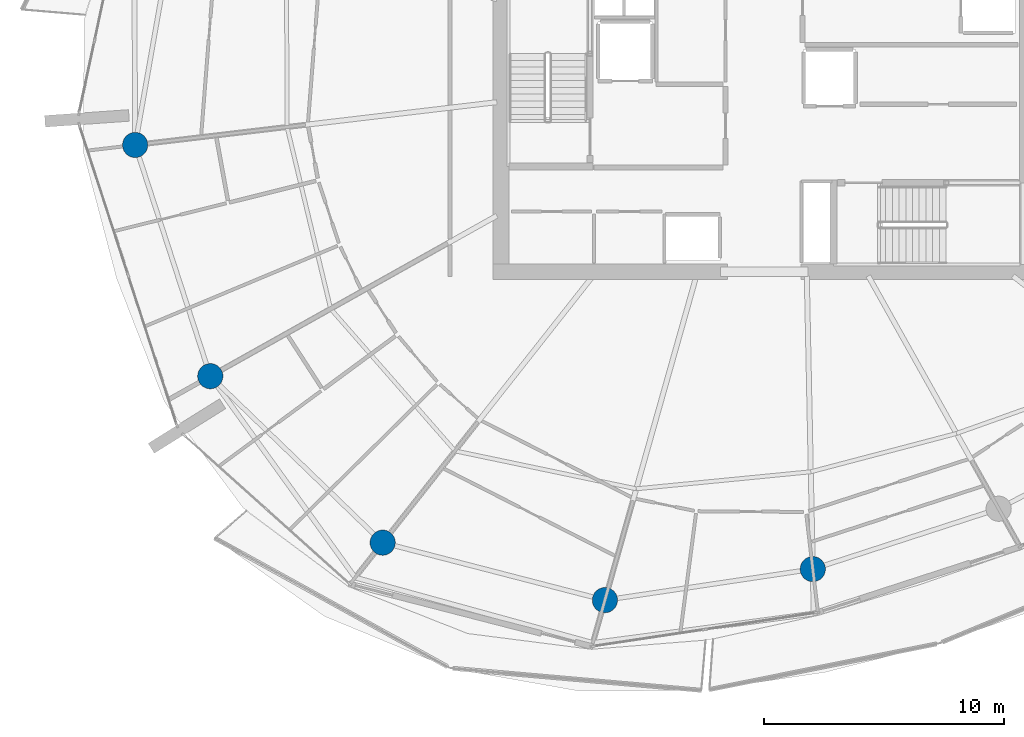
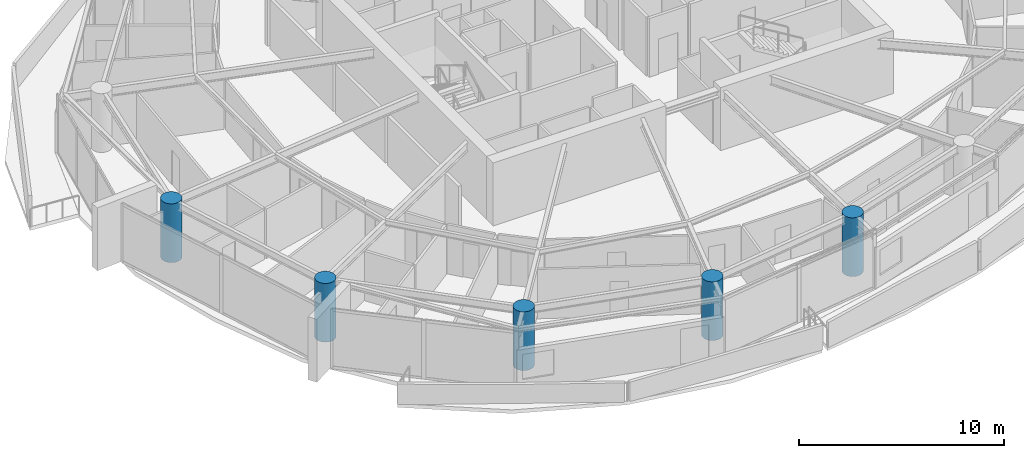
# One storey, part 1 of 21: 5 columns.
"""IFC4 building model written with IfcOpenShell, lengths in metres."""

from ifc_helpers import new_model, si_unit, direction, frame, origin, origin_2d, place, context, subcontext, project, spatial, circle, extrude, material, material_profile, profile_set, type_object, element, save


model = new_model("IFC4")

# Units and contexts
model_context = context("Model", 3, precision=1e-05, world=origin(), true_north=direction((0.0, 1.0)))
body_context = subcontext(model_context, "Body", "Model", "MODEL_VIEW")
ifc_project = project(units=[si_unit("LENGTHUNIT", "METRE"), si_unit("AREAUNIT", "SQUARE_METRE"), si_unit("VOLUMEUNIT", "CUBIC_METRE"), si_unit("PLANEANGLEUNIT", "RADIAN"), si_unit("MASSUNIT", "GRAM", prefix="KILO")], contexts=[model_context])

# Site, building, storey
site_placement = place(None, origin())
site = spatial("IfcSite", under=ifc_project, at=site_placement, CompositionType="ELEMENT")
building_placement = place(site_placement, origin())
building = spatial("IfcBuilding", under=site, at=building_placement, Name="Kazma Halo Residences", CompositionType="ELEMENT")
storey_placement = place(building_placement, frame((0.0, 0.0, 195.300048828125)))
storey = spatial("IfcBuildingStorey", under=building, at=storey_placement, Name="L49", CompositionType="ELEMENT", Elevation=195.300048828125)

# Columns
ifc_material = material(Name="Concrete C80/95", Category="concrete")
ifc_material_profile = material_profile(ifc_material, circle(Radius=0.52490234375, at=origin_2d()), Name="CIRC1050")
ifc_profile_set = profile_set([ifc_material_profile], Name="Concrete C80/95")
column_type = type_object("IfcColumnType", Name="COL-PERIM-1050", PredefinedType="COLUMN", material=ifc_profile_set)
for number, where, z_axis, x_axis, name in (
    (1, (22.248291015625, 38.9521484375, 0.0), (0.0, 0.0, 1.0), (1.0, 0.0, 0.0), "L49 perimeter ring column P08"),
    (2, (25.375, 29.329345703125, 0.0), (0.0, 0.0, 1.0), (1.0, 0.0, 0.0), "L49 perimeter ring column P09"),
    (3, (32.54931640625, 22.401123046875, 0.0), (0.0, 0.0, 1.0), (1.0, 0.0, 0.0), "L49 perimeter ring column P10"),
    (4, (41.797607421875, 20.00830078125, 0.0), (0.0, 0.0, 1.0), (1.0, 0.0, 0.0), "L49 perimeter ring column P11"),
    (5, (50.449951171875, 21.30029296875, 0.0), (0.0, 0.0, 1.0), (1.0, 0.0, 0.0), "L49 perimeter ring column P12"),
):
    element("IfcColumn", number, at=place(storey_placement, frame(where, z_axis=z_axis, x_axis=x_axis)), inside=storey, type_object=column_type, Name=name, PredefinedType="COLUMN", context=body_context, shape_type="SweptSolid", body=[
        extrude(circle(Radius=0.52490234375, at=origin_2d()), origin(), (0.0, 0.0, 1.0), 3.5),
    ])

save(model, "model.ifc")
